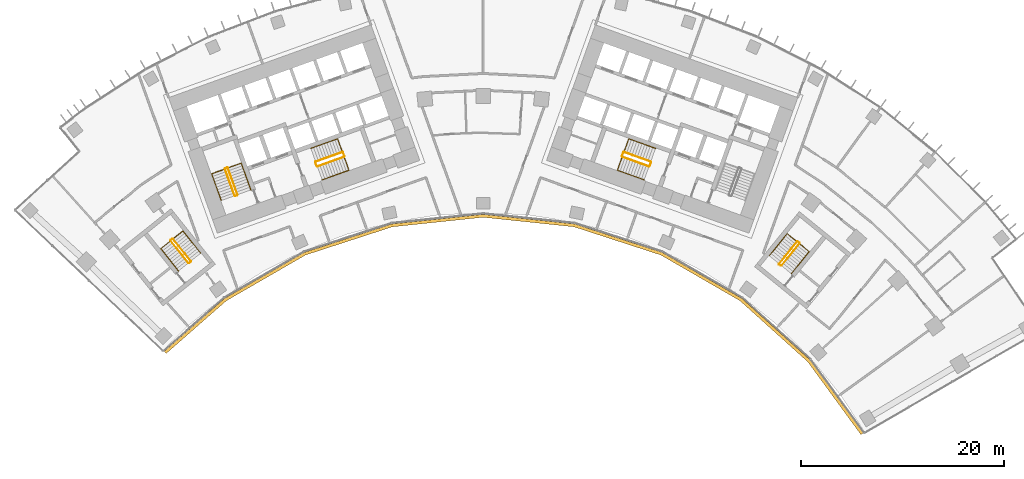
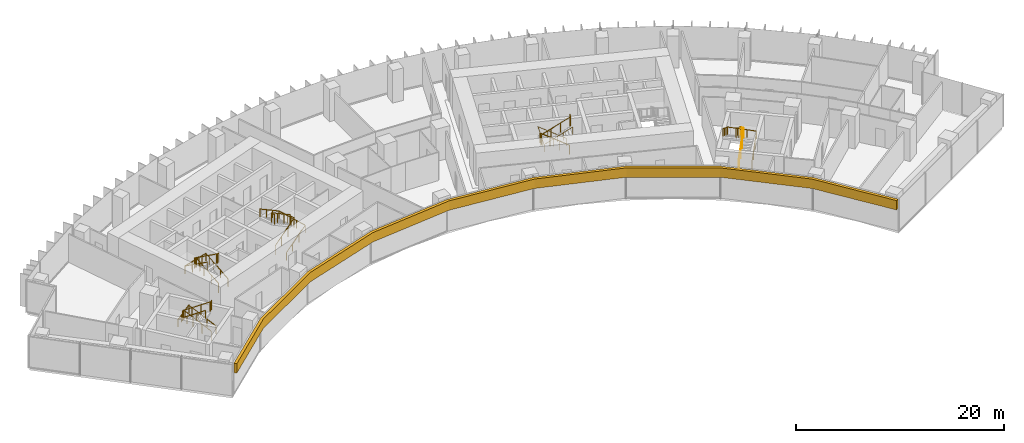
# One storey, part 21 of 22: 15 railings, 1 covering.
"""IFC4 building model written with IfcOpenShell, lengths in metres."""

from ifc_helpers import new_model, si_unit, direction, frame, origin, origin_2d, place, context, subcontext, project, spatial, polyline, circle, outline, extrude, material, layer, layer_set, type_object, element, save


model = new_model("IFC4")

# Units and contexts
model_context = context("Model", 3, precision=1e-05, world=origin(), true_north=direction((0.0, 1.0)))
body_context = subcontext(model_context, "Body", "Model", "MODEL_VIEW")
ifc_project = project(units=[si_unit("LENGTHUNIT", "METRE"), si_unit("AREAUNIT", "SQUARE_METRE"), si_unit("VOLUMEUNIT", "CUBIC_METRE"), si_unit("PLANEANGLEUNIT", "RADIAN"), si_unit("MASSUNIT", "GRAM", prefix="KILO")], contexts=[model_context])

# Site, building, storey
site_placement = place(None, origin())
site = spatial("IfcSite", under=ifc_project, at=site_placement, CompositionType="ELEMENT")
building_placement = place(site_placement, origin())
building = spatial("IfcBuilding", under=site, at=building_placement, Name="Stone Belt Terrace Tower", CompositionType="ELEMENT")
storey_placement = place(building_placement, frame((0.0, 0.0, 132.60009765625)))
storey = spatial("IfcBuildingStorey", under=building, at=storey_placement, Name="L32", CompositionType="ELEMENT", Elevation=132.60009765625)

# Railings
ifc_material_1 = material(Name="Structural steel C345", Category="steel")
railing_type_1 = type_object("IfcRailingType", Name="Stair guard 1100", PredefinedType="GUARDRAIL", material=ifc_material_1)
railing_1_placement = place(storey_placement, frame((-24.2119140625, 45.276123046875, 0.172607421875)))
element("IfcRailing", 1, at=railing_1_placement, inside=storey, type_object=railing_type_1, Name="L32 ST1A stair guard 1", PredefinedType="GUARDRAIL", context=body_context, shape_type="SweptSolid", body=[
    extrude(circle(Radius=0.02392578125, at=origin_2d()), frame((0.0, 0.0, 1.076171875), z_axis=(-0.288228637646, 0.800791768495, 0.525030280985), x_axis=(-0.940908529223, -0.338660803216, 0.0)), (0.0, 0.0, 1.0), 3.289794921875),
    extrude(circle(Radius=0.02392578125, at=origin_2d()), frame((-0.9482421875, 2.634521484375, 2.80322265625), z_axis=(-0.905209821074, 0.424964916, 0.0), x_axis=(-0.424964916, -0.905209821074, 0.0)), (0.0, 0.0, 1.0), 0.070556640625),
    extrude(circle(Radius=0.02392578125, at=origin_2d()), frame((-1.01220703125, 2.66455078125, 2.80322265625), z_axis=(-0.941105063269, -0.338114270461, 0.0), x_axis=(0.338114270461, -0.941105063269, 0.0)), (0.0, 0.0, 1.0), 0.199951171875),
    extrude(circle(Radius=0.02099609375, at=origin_2d()), origin(), (0.0, 0.0, 1.0), 1.052001953125),
    extrude(circle(Radius=0.02099609375, at=origin_2d()), frame((-0.316162109375, 0.878173828125, 0.57568359375)), (0.0, 0.0, 1.0), 1.052001953125),
    extrude(circle(Radius=0.02099609375, at=origin_2d()), frame((-0.632080078125, 1.75634765625, 1.151611328125)), (0.0, 0.0, 1.0), 1.052001953125),
    extrude(circle(Radius=0.02099609375, at=origin_2d()), frame((-0.9482421875, 2.634521484375, 1.727294921875)), (0.0, 0.0, 1.0), 1.052001953125),
    extrude(circle(Radius=0.02099609375, at=origin_2d()), frame((-1.01220703125, 2.66455078125, 1.727294921875)), (0.0, 0.0, 1.0), 1.052001953125),
    extrude(circle(Radius=0.02099609375, at=origin_2d()), frame((-1.200439453125, 2.596923828125, 1.727294921875)), (0.0, 0.0, 1.0), 1.052001953125),
])
railing_2_placement = place(storey_placement, frame((-25.4423828125, 47.80908203125, 2.072509765625)))
element("IfcRailing", 2, at=railing_2_placement, inside=storey, type_object=railing_type_1, Name="L32 ST1A stair guard 2", PredefinedType="GUARDRAIL", context=body_context, shape_type="SweptSolid", body=[
    extrude(circle(Radius=0.02392578125, at=origin_2d()), frame((0.0, 0.0, 1.076171875), z_axis=(0.288228637646, -0.800791768495, 0.525030280985), x_axis=(0.940908529223, 0.338660803216, 0.0)), (0.0, 0.0, 1.0), 3.289794921875),
    extrude(circle(Radius=0.02392578125, at=origin_2d()), frame((0.9482421875, -2.634521484375, 2.80322265625), z_axis=(0.903878284585, -0.427789722475, 0.0), x_axis=(0.427789722475, 0.903878284585, 0.0)), (0.0, 0.0, 1.0), 0.07080078125),
    extrude(circle(Radius=0.02392578125, at=origin_2d()), frame((1.01220703125, -2.664794921875, 2.80322265625), z_axis=(0.940575576748, 0.339584429008, 0.0), x_axis=(-0.339584429008, 0.940575576748, 0.0)), (0.0, 0.0, 1.0), 0.199951171875),
    extrude(circle(Radius=0.02099609375, at=origin_2d()), origin(), (0.0, 0.0, 1.0), 1.052001953125),
    extrude(circle(Radius=0.02099609375, at=origin_2d()), frame((0.316162109375, -0.878173828125, 0.57568359375)), (0.0, 0.0, 1.0), 1.052001953125),
    extrude(circle(Radius=0.02099609375, at=origin_2d()), frame((0.632080078125, -1.75634765625, 1.151611328125)), (0.0, 0.0, 1.0), 1.052001953125),
    extrude(circle(Radius=0.02099609375, at=origin_2d()), frame((0.9482421875, -2.634521484375, 1.727294921875)), (0.0, 0.0, 1.0), 1.052001953125),
    extrude(circle(Radius=0.02099609375, at=origin_2d()), frame((1.01220703125, -2.664794921875, 1.727294921875)), (0.0, 0.0, 1.0), 1.052001953125),
    extrude(circle(Radius=0.02099609375, at=origin_2d()), frame((1.2001953125, -2.596923828125, 1.727294921875)), (0.0, 0.0, 1.0), 1.052001953125),
])
railing_3_placement = place(storey_placement, frame((-16.33837890625, 48.056640625, 0.172607421875)))
element("IfcRailing", 3, at=railing_3_placement, inside=storey, type_object=railing_type_1, Name="L32 ST2A stair guard 1", PredefinedType="GUARDRAIL", context=body_context, shape_type="SweptSolid", body=[
    extrude(circle(Radius=0.02392578125, at=origin_2d()), frame((0.0, 0.0, 1.076171875), z_axis=(0.800808895155, 0.288160591223, 0.52504150989), x_axis=(-0.338583606334, 0.940936311087, 0.0)), (0.0, 0.0, 1.0), 3.289794921875),
    extrude(circle(Radius=0.02392578125, at=origin_2d()), frame((2.634521484375, 0.947998046875, 2.80322265625), z_axis=(0.427789722475, 0.903878284585, 0.0), x_axis=(-0.903878284585, 0.427789722475, 0.0)), (0.0, 0.0, 1.0), 0.07080078125),
    extrude(circle(Radius=0.02392578125, at=origin_2d()), frame((2.664794921875, 1.011962890625, 2.80322265625), z_axis=(-0.338654645739, 0.940910745459, 0.0), x_axis=(-0.940910745459, -0.338654645739, 0.0)), (0.0, 0.0, 1.0), 0.400146484375),
    extrude(circle(Radius=0.02099609375, at=origin_2d()), origin(), (0.0, 0.0, 1.0), 1.052001953125),
    extrude(circle(Radius=0.02099609375, at=origin_2d()), frame((0.878173828125, 0.31591796875, 0.57568359375)), (0.0, 0.0, 1.0), 1.052001953125),
    extrude(circle(Radius=0.02099609375, at=origin_2d()), frame((1.75634765625, 0.632080078125, 1.151611328125)), (0.0, 0.0, 1.0), 1.052001953125),
    extrude(circle(Radius=0.02099609375, at=origin_2d()), frame((2.634521484375, 0.947998046875, 1.727294921875)), (0.0, 0.0, 1.0), 1.052001953125),
    extrude(circle(Radius=0.02099609375, at=origin_2d()), frame((2.664794921875, 1.011962890625, 1.727294921875)), (0.0, 0.0, 1.0), 1.052001953125),
    extrude(circle(Radius=0.02099609375, at=origin_2d()), frame((2.529296875, 1.388427734375, 1.727294921875)), (0.0, 0.0, 1.0), 1.052001953125),
])
railing_4_placement = place(storey_placement, frame((-13.873046875, 49.47509765625, 2.072509765625)))
element("IfcRailing", 4, at=railing_4_placement, inside=storey, type_object=railing_type_1, Name="L32 ST2A stair guard 2", PredefinedType="GUARDRAIL", context=body_context, shape_type="SweptSolid", body=[
    extrude(circle(Radius=0.02392578125, at=origin_2d()), frame((0.0, 0.0, 1.076171875), z_axis=(-0.800808895155, -0.288160591223, 0.52504150989), x_axis=(0.338583606334, -0.940936311087, 0.0)), (0.0, 0.0, 1.0), 3.289794921875),
    extrude(circle(Radius=0.02392578125, at=origin_2d()), frame((-2.634521484375, -0.947998046875, 2.80322265625), z_axis=(-0.427789722475, -0.903878284585, 0.0), x_axis=(0.903878284585, -0.427789722475, 0.0)), (0.0, 0.0, 1.0), 0.07080078125),
    extrude(circle(Radius=0.02392578125, at=origin_2d()), frame((-2.664794921875, -1.011962890625, 2.80322265625), z_axis=(0.338654645739, -0.940910745459, 0.0), x_axis=(0.940910745459, 0.338654645739, 0.0)), (0.0, 0.0, 1.0), 0.400146484375),
    extrude(circle(Radius=0.02099609375, at=origin_2d()), origin(), (0.0, 0.0, 1.0), 1.052001953125),
    extrude(circle(Radius=0.02099609375, at=origin_2d()), frame((-0.878173828125, -0.31591796875, 0.57568359375)), (0.0, 0.0, 1.0), 1.052001953125),
    extrude(circle(Radius=0.02099609375, at=origin_2d()), frame((-1.75634765625, -0.632080078125, 1.151611328125)), (0.0, 0.0, 1.0), 1.052001953125),
    extrude(circle(Radius=0.02099609375, at=origin_2d()), frame((-2.634521484375, -0.947998046875, 1.727294921875)), (0.0, 0.0, 1.0), 1.052001953125),
    extrude(circle(Radius=0.02099609375, at=origin_2d()), frame((-2.664794921875, -1.011962890625, 1.727294921875)), (0.0, 0.0, 1.0), 1.052001953125),
    extrude(circle(Radius=0.02099609375, at=origin_2d()), frame((-2.529296875, -1.388427734375, 1.727294921875)), (0.0, 0.0, 1.0), 1.052001953125),
])
railing_5_placement = place(storey_placement, frame((16.507568359375, 48.527099609375, 0.172607421875)))
element("IfcRailing", 5, at=railing_5_placement, inside=storey, type_object=railing_type_1, Name="L32 ST2B stair guard 1", PredefinedType="GUARDRAIL", context=body_context, shape_type="SweptSolid", body=[
    extrude(circle(Radius=0.02392578125, at=origin_2d()), frame((0.0, 0.0, 1.076171875), z_axis=(-0.800808895155, 0.288160591223, 0.52504150989), x_axis=(-0.338583606334, -0.940936311087, 0.0)), (0.0, 0.0, 1.0), 3.289794921875),
    extrude(circle(Radius=0.02392578125, at=origin_2d()), frame((-2.634521484375, 0.947998046875, 2.80322265625), z_axis=(-0.905209821074, -0.424964916, 0.0), x_axis=(0.424964916, -0.905209821074, 0.0)), (0.0, 0.0, 1.0), 0.070556640625),
    extrude(circle(Radius=0.02392578125, at=origin_2d()), frame((-2.698486328125, 0.91796875, 2.80322265625), z_axis=(-0.338654645739, -0.940910745459, 0.0), x_axis=(0.940910745459, -0.338654645739, 0.0)), (0.0, 0.0, 1.0), 0.400146484375),
    extrude(circle(Radius=0.02099609375, at=origin_2d()), origin(), (0.0, 0.0, 1.0), 1.052001953125),
    extrude(circle(Radius=0.02099609375, at=origin_2d()), frame((-0.878173828125, 0.31591796875, 0.57568359375)), (0.0, 0.0, 1.0), 1.052001953125),
    extrude(circle(Radius=0.02099609375, at=origin_2d()), frame((-1.75634765625, 0.632080078125, 1.151611328125)), (0.0, 0.0, 1.0), 1.052001953125),
    extrude(circle(Radius=0.02099609375, at=origin_2d()), frame((-2.634521484375, 0.947998046875, 1.727294921875)), (0.0, 0.0, 1.0), 1.052001953125),
    extrude(circle(Radius=0.02099609375, at=origin_2d()), frame((-2.698486328125, 0.91796875, 1.727294921875)), (0.0, 0.0, 1.0), 1.052001953125),
    extrude(circle(Radius=0.02099609375, at=origin_2d()), frame((-2.833984375, 0.54150390625, 1.727294921875)), (0.0, 0.0, 1.0), 1.052001953125),
])
railing_6_placement = place(storey_placement, frame((13.703857421875, 49.004638671875, 2.072509765625)))
element("IfcRailing", 6, at=railing_6_placement, inside=storey, type_object=railing_type_1, Name="L32 ST2B stair guard 2", PredefinedType="GUARDRAIL", context=body_context, shape_type="SweptSolid", body=[
    extrude(circle(Radius=0.02392578125, at=origin_2d()), frame((0.0, 0.0, 1.076171875), z_axis=(0.800808895155, -0.288160591223, 0.52504150989), x_axis=(0.338583606334, 0.940936311087, 0.0)), (0.0, 0.0, 1.0), 3.289794921875),
    extrude(circle(Radius=0.02392578125, at=origin_2d()), frame((2.634521484375, -0.947998046875, 2.80322265625), z_axis=(0.905209821074, 0.424964916, 0.0), x_axis=(-0.424964916, 0.905209821074, 0.0)), (0.0, 0.0, 1.0), 0.070556640625),
    extrude(circle(Radius=0.02392578125, at=origin_2d()), frame((2.698486328125, -0.91796875, 2.80322265625), z_axis=(0.338654645739, 0.940910745459, 0.0), x_axis=(-0.940910745459, 0.338654645739, 0.0)), (0.0, 0.0, 1.0), 0.400146484375),
    extrude(circle(Radius=0.02099609375, at=origin_2d()), origin(), (0.0, 0.0, 1.0), 1.052001953125),
    extrude(circle(Radius=0.02099609375, at=origin_2d()), frame((0.878173828125, -0.31591796875, 0.57568359375)), (0.0, 0.0, 1.0), 1.052001953125),
    extrude(circle(Radius=0.02099609375, at=origin_2d()), frame((1.75634765625, -0.632080078125, 1.151611328125)), (0.0, 0.0, 1.0), 1.052001953125),
    extrude(circle(Radius=0.02099609375, at=origin_2d()), frame((2.634521484375, -0.947998046875, 1.727294921875)), (0.0, 0.0, 1.0), 1.052001953125),
    extrude(circle(Radius=0.02099609375, at=origin_2d()), frame((2.698486328125, -0.91796875, 1.727294921875)), (0.0, 0.0, 1.0), 1.052001953125),
    extrude(circle(Radius=0.02099609375, at=origin_2d()), frame((2.833984375, -0.54150390625, 1.727294921875)), (0.0, 0.0, 1.0), 1.052001953125),
])
railing_7_placement = place(storey_placement, frame((-28.814208984375, 38.734619140625, 0.172607421875)))
element("IfcRailing", 7, at=railing_7_placement, inside=storey, type_object=railing_type_1, Name="L32 ST3A stair guard 1", PredefinedType="GUARDRAIL", context=body_context, shape_type="SweptSolid", body=[
    extrude(circle(Radius=0.02392578125, at=origin_2d()), frame((0.0, 0.0, 1.076171875), z_axis=(-0.530306321799, 0.665665785969, 0.525037395288), x_axis=(-0.782143211408, -0.623098705543, 0.0)), (0.0, 0.0, 1.0), 3.289794921875),
    extrude(circle(Radius=0.02392578125, at=origin_2d()), frame((-1.74462890625, 2.18994140625, 2.80322265625), z_axis=(-0.993883734674, 0.110431526075, 0.0), x_axis=(-0.110431526075, -0.993883734674, 0.0)), (0.0, 0.0, 1.0), 0.07080078125),
    extrude(circle(Radius=0.02392578125, at=origin_2d()), frame((-1.81494140625, 2.19775390625, 2.80322265625), z_axis=(-0.782533463299, -0.622608527742, 0.0), x_axis=(0.622608527742, -0.782533463299, 0.0)), (0.0, 0.0, 1.0), 0.199951171875),
    extrude(circle(Radius=0.02099609375, at=origin_2d()), origin(), (0.0, 0.0, 1.0), 1.052001953125),
    extrude(circle(Radius=0.02099609375, at=origin_2d()), frame((-0.58154296875, 0.72998046875, 0.57568359375)), (0.0, 0.0, 1.0), 1.052001953125),
    extrude(circle(Radius=0.02099609375, at=origin_2d()), frame((-1.1630859375, 1.4599609375, 1.151611328125)), (0.0, 0.0, 1.0), 1.052001953125),
    extrude(circle(Radius=0.02099609375, at=origin_2d()), frame((-1.74462890625, 2.18994140625, 1.727294921875)), (0.0, 0.0, 1.0), 1.052001953125),
    extrude(circle(Radius=0.02099609375, at=origin_2d()), frame((-1.81494140625, 2.19775390625, 1.727294921875)), (0.0, 0.0, 1.0), 1.052001953125),
    extrude(circle(Radius=0.02099609375, at=origin_2d()), frame((-1.971435546875, 2.0732421875, 1.727294921875)), (0.0, 0.0, 1.0), 1.052001953125),
])
railing_8_placement = place(storey_placement, frame((-30.793701171875, 40.737548828125, 2.072509765625)))
element("IfcRailing", 8, at=railing_8_placement, inside=storey, type_object=railing_type_1, Name="L32 ST3A stair guard 2", PredefinedType="GUARDRAIL", context=body_context, shape_type="SweptSolid", body=[
    extrude(circle(Radius=0.02392578125, at=origin_2d()), frame((0.0, 0.0, 1.076171875), z_axis=(0.530359659125, -0.665639588968, 0.525016732659), x_axis=(0.782100716982, 0.62315204284, 0.0)), (0.0, 0.0, 1.0), 3.2900390625),
    extrude(circle(Radius=0.02392578125, at=origin_2d()), frame((1.744873046875, -2.18994140625, 2.80322265625), z_axis=(0.993499272973, -0.113838458361, 0.0), x_axis=(0.113838458361, 0.993499272973, 0.0)), (0.0, 0.0, 1.0), 0.07080078125),
    extrude(circle(Radius=0.02392578125, at=origin_2d()), frame((1.815185546875, -2.197998046875, 2.80322265625), z_axis=(0.781464082609, 0.623950228458, 0.0), x_axis=(-0.623950228458, 0.781464082609, 0.0)), (0.0, 0.0, 1.0), 0.199951171875),
    extrude(circle(Radius=0.02099609375, at=origin_2d()), origin(), (0.0, 0.0, 1.0), 1.052001953125),
    extrude(circle(Radius=0.02099609375, at=origin_2d()), frame((0.58154296875, -0.72998046875, 0.57568359375)), (0.0, 0.0, 1.0), 1.052001953125),
    extrude(circle(Radius=0.02099609375, at=origin_2d()), frame((1.163330078125, -1.4599609375, 1.151611328125)), (0.0, 0.0, 1.0), 1.052001953125),
    extrude(circle(Radius=0.02099609375, at=origin_2d()), frame((1.744873046875, -2.18994140625, 1.727294921875)), (0.0, 0.0, 1.0), 1.052001953125),
    extrude(circle(Radius=0.02099609375, at=origin_2d()), frame((1.815185546875, -2.197998046875, 1.727294921875)), (0.0, 0.0, 1.0), 1.052001953125),
    extrude(circle(Radius=0.02099609375, at=origin_2d()), frame((1.971435546875, -2.0732421875, 1.727294921875)), (0.0, 0.0, 1.0), 1.052001953125),
])
railing_9_placement = place(storey_placement, frame((29.39794921875, 38.281982421875, 0.172607421875)))
element("IfcRailing", 9, at=railing_9_placement, inside=storey, type_object=railing_type_1, Name="L32 ST3B stair guard 1", PredefinedType="GUARDRAIL", context=body_context, shape_type="SweptSolid", body=[
    extrude(circle(Radius=0.02392578125, at=origin_2d()), frame((0.0, 0.0, 1.076171875), z_axis=(0.536393061503, 0.660769759217, 0.525038864158), x_axis=(-0.776391310223, 0.630251166924, 0.0)), (0.0, 0.0, 1.0), 3.289794921875),
    extrude(circle(Radius=0.02392578125, at=origin_2d()), frame((1.7646484375, 2.173828125, 2.80322265625), z_axis=(-0.103251414163, 0.994655289773, 0.0), x_axis=(-0.994655289773, -0.103251414163, 0.0)), (0.0, 0.0, 1.0), 0.071044921875),
    extrude(circle(Radius=0.02392578125, at=origin_2d()), frame((1.75732421875, 2.244384765625, 2.80322265625), z_axis=(-0.776561986372, 0.630040856868, 0.0), x_axis=(-0.630040856868, -0.776561986372, 0.0)), (0.0, 0.0, 1.0), 0.199951171875),
    extrude(circle(Radius=0.02099609375, at=origin_2d()), origin(), (0.0, 0.0, 1.0), 1.052001953125),
    extrude(circle(Radius=0.02099609375, at=origin_2d()), frame((0.588134765625, 0.724609375, 0.57568359375)), (0.0, 0.0, 1.0), 1.052001953125),
    extrude(circle(Radius=0.02099609375, at=origin_2d()), frame((1.176513671875, 1.44921875, 1.151611328125)), (0.0, 0.0, 1.0), 1.052001953125),
    extrude(circle(Radius=0.02099609375, at=origin_2d()), frame((1.7646484375, 2.173828125, 1.727294921875)), (0.0, 0.0, 1.0), 1.052001953125),
    extrude(circle(Radius=0.02099609375, at=origin_2d()), frame((1.75732421875, 2.244384765625, 1.727294921875)), (0.0, 0.0, 1.0), 1.052001953125),
    extrude(circle(Radius=0.02099609375, at=origin_2d()), frame((1.60205078125, 2.370361328125, 1.727294921875)), (0.0, 0.0, 1.0), 1.052001953125),
])
railing_10_placement = place(storey_placement, frame((30.9296875, 40.64501953125, 2.072509765625)))
element("IfcRailing", 10, at=railing_10_placement, inside=storey, type_object=railing_type_1, Name="L32 ST3B stair guard 2", PredefinedType="GUARDRAIL", context=body_context, shape_type="SweptSolid", body=[
    extrude(circle(Radius=0.02392578125, at=origin_2d()), frame((0.0, 0.0, 1.076171875), z_axis=(-0.536366759382, -0.660811565066, 0.525013118792), x_axis=(0.776425942316, -0.630208502084, 0.0)), (0.0, 0.0, 1.0), 3.2900390625),
    extrude(circle(Radius=0.02392578125, at=origin_2d()), frame((-1.7646484375, -2.174072265625, 2.80322265625), z_axis=(0.103606084259, -0.994618408891, 0.0), x_axis=(0.994618408891, 0.103606084259, 0.0)), (0.0, 0.0, 1.0), 0.07080078125),
    extrude(circle(Radius=0.02392578125, at=origin_2d()), frame((-1.75732421875, -2.244384765625, 2.80322265625), z_axis=(0.776561986372, -0.630040856868, 0.0), x_axis=(0.630040856868, 0.776561986372, 0.0)), (0.0, 0.0, 1.0), 0.199951171875),
    extrude(circle(Radius=0.02099609375, at=origin_2d()), origin(), (0.0, 0.0, 1.0), 1.052001953125),
    extrude(circle(Radius=0.02099609375, at=origin_2d()), frame((-0.588134765625, -0.724609375, 0.57568359375)), (0.0, 0.0, 1.0), 1.052001953125),
    extrude(circle(Radius=0.02099609375, at=origin_2d()), frame((-1.176513671875, -1.449462890625, 1.151611328125)), (0.0, 0.0, 1.0), 1.052001953125),
    extrude(circle(Radius=0.02099609375, at=origin_2d()), frame((-1.7646484375, -2.174072265625, 1.727294921875)), (0.0, 0.0, 1.0), 1.052001953125),
    extrude(circle(Radius=0.02099609375, at=origin_2d()), frame((-1.75732421875, -2.244384765625, 1.727294921875)), (0.0, 0.0, 1.0), 1.052001953125),
    extrude(circle(Radius=0.02099609375, at=origin_2d()), frame((-1.60205078125, -2.370361328125, 1.727294921875)), (0.0, 0.0, 1.0), 1.052001953125),
])
railing_type_2 = type_object("IfcRailingType", Name="Stair handrail 900", PredefinedType="HANDRAIL", material=ifc_material_1)
railing_11_placement = place(storey_placement, frame((-22.894775390625, 45.750244140625, 0.172607421875)))
element("IfcRailing", 11, at=railing_11_placement, inside=storey, type_object=railing_type_2, Name="L32 ST1A stair handrail 1", PredefinedType="HANDRAIL", context=body_context, shape_type="SweptSolid", body=[
    extrude(circle(Radius=0.02392578125, at=origin_2d()), frame((0.0, 0.0, 0.8759765625), z_axis=(-0.288160591223, 0.800808895155, 0.52504150989), x_axis=(-0.940936311087, -0.338583606334, 0.0)), (0.0, 0.0, 1.0), 3.289794921875),
    extrude(circle(Radius=0.02392578125, at=origin_2d()), frame((-0.947998046875, 2.634521484375, 2.60302734375), z_axis=(-0.939464517435, -0.338106580597, 0.055591012205), x_axis=(0.338630230244, -0.940919532779, 0.0)), (0.0, 0.0, 1.0), 3.10498046875),
    extrude(circle(Radius=0.02392578125, at=origin_2d()), frame((-3.864990234375, 1.584716796875, 2.77587890625), z_axis=(0.288228637646, -0.800791768495, 0.525030280985), x_axis=(0.940908529223, 0.338660803216, 0.0)), (0.0, 0.0, 1.0), 3.289794921875),
    extrude(circle(Radius=0.02099609375, at=origin_2d()), origin(), (0.0, 0.0, 1.0), 0.851806640625),
    extrude(circle(Radius=0.02099609375, at=origin_2d()), frame((-0.31591796875, 0.878173828125, 0.57568359375)), (0.0, 0.0, 1.0), 0.851806640625),
    extrude(circle(Radius=0.02099609375, at=origin_2d()), frame((-0.632080078125, 1.75634765625, 1.151611328125)), (0.0, 0.0, 1.0), 0.851806640625),
    extrude(circle(Radius=0.02099609375, at=origin_2d()), frame((-0.947998046875, 2.634521484375, 1.727294921875)), (0.0, 0.0, 1.0), 0.851806640625),
    extrude(circle(Radius=0.02099609375, at=origin_2d()), frame((-1.92041015625, 2.28466796875, 1.784912109375)), (0.0, 0.0, 1.0), 0.851806640625),
    extrude(circle(Radius=0.02099609375, at=origin_2d()), frame((-2.892578125, 1.9345703125, 1.84228515625)), (0.0, 0.0, 1.0), 0.851806640625),
    extrude(circle(Radius=0.02099609375, at=origin_2d()), frame((-3.864990234375, 1.584716796875, 1.89990234375)), (0.0, 0.0, 1.0), 0.851806640625),
    extrude(circle(Radius=0.02099609375, at=origin_2d()), frame((-3.548828125, 0.70654296875, 2.4755859375)), (0.0, 0.0, 1.0), 0.851806640625),
    extrude(circle(Radius=0.02099609375, at=origin_2d()), frame((-3.23291015625, -0.171630859375, 3.051513671875)), (0.0, 0.0, 1.0), 0.851806640625),
    extrude(circle(Radius=0.02099609375, at=origin_2d()), frame((-2.916748046875, -1.0498046875, 3.627197265625)), (0.0, 0.0, 1.0), 0.851806640625),
])
railing_12_placement = place(storey_placement, frame((-15.8642578125, 46.7392578125, 0.172607421875)))
element("IfcRailing", 12, at=railing_12_placement, inside=storey, type_object=railing_type_2, Name="L32 ST2A stair handrail 1", PredefinedType="HANDRAIL", context=body_context, shape_type="SweptSolid", body=[
    extrude(circle(Radius=0.02392578125, at=origin_2d()), frame((0.0, 0.0, 0.8759765625), z_axis=(0.800791768495, 0.288228637646, 0.525030280985), x_axis=(-0.338660803216, 0.940908529223, 0.0)), (0.0, 0.0, 1.0), 3.289794921875),
    extrude(circle(Radius=0.02392578125, at=origin_2d()), frame((2.634521484375, 0.9482421875, 2.60302734375), z_axis=(-0.338160254016, 0.939637778147, 0.052234935458), x_axis=(-0.940922302781, -0.338622533404, 0.0)), (0.0, 0.0, 1.0), 3.304443359375),
    extrude(circle(Radius=0.02392578125, at=origin_2d()), frame((1.51708984375, 4.05322265625, 2.77587890625), z_axis=(-0.800791768495, -0.288228637646, 0.525030280985), x_axis=(0.338660803216, -0.940908529223, 0.0)), (0.0, 0.0, 1.0), 3.289794921875),
    extrude(circle(Radius=0.02099609375, at=origin_2d()), origin(), (0.0, 0.0, 1.0), 0.851806640625),
    extrude(circle(Radius=0.02099609375, at=origin_2d()), frame((0.878173828125, 0.316162109375, 0.57568359375)), (0.0, 0.0, 1.0), 0.851806640625),
    extrude(circle(Radius=0.02099609375, at=origin_2d()), frame((1.75634765625, 0.632080078125, 1.151611328125)), (0.0, 0.0, 1.0), 0.851806640625),
    extrude(circle(Radius=0.02099609375, at=origin_2d()), frame((2.634521484375, 0.9482421875, 1.727294921875)), (0.0, 0.0, 1.0), 0.851806640625),
    extrude(circle(Radius=0.02099609375, at=origin_2d()), frame((2.261962890625, 1.983154296875, 1.784912109375)), (0.0, 0.0, 1.0), 0.851806640625),
    extrude(circle(Radius=0.02099609375, at=origin_2d()), frame((1.8896484375, 3.018310546875, 1.84228515625)), (0.0, 0.0, 1.0), 0.851806640625),
    extrude(circle(Radius=0.02099609375, at=origin_2d()), frame((1.51708984375, 4.05322265625, 1.89990234375)), (0.0, 0.0, 1.0), 0.851806640625),
    extrude(circle(Radius=0.02099609375, at=origin_2d()), frame((0.638916015625, 3.737060546875, 2.4755859375)), (0.0, 0.0, 1.0), 0.851806640625),
    extrude(circle(Radius=0.02099609375, at=origin_2d()), frame((-0.2392578125, 3.421142578125, 3.051513671875)), (0.0, 0.0, 1.0), 0.851806640625),
    extrude(circle(Radius=0.02099609375, at=origin_2d()), frame((-1.117431640625, 3.10498046875, 3.627197265625)), (0.0, 0.0, 1.0), 0.851806640625),
])
railing_13_placement = place(storey_placement, frame((16.981689453125, 49.84423828125, 0.172607421875)))
element("IfcRailing", 13, at=railing_13_placement, inside=storey, type_object=railing_type_2, Name="L32 ST2B stair handrail 1", PredefinedType="HANDRAIL", context=body_context, shape_type="SweptSolid", body=[
    extrude(circle(Radius=0.02392578125, at=origin_2d()), frame((0.0, 0.0, 0.8759765625), z_axis=(-0.800791768495, 0.288228637646, 0.525030280985), x_axis=(-0.338660803216, -0.940908529223, 0.0)), (0.0, 0.0, 1.0), 3.289794921875),
    extrude(circle(Radius=0.02392578125, at=origin_2d()), frame((-2.634521484375, 0.9482421875, 2.60302734375), z_axis=(-0.338160254016, -0.939637778147, 0.052234935458), x_axis=(0.940922302781, -0.338622533404, 0.0)), (0.0, 0.0, 1.0), 3.304443359375),
    extrude(circle(Radius=0.02392578125, at=origin_2d()), frame((-3.751953125, -2.15673828125, 2.77587890625), z_axis=(0.800791768495, -0.288228637646, 0.525030280985), x_axis=(0.338660803216, 0.940908529223, 0.0)), (0.0, 0.0, 1.0), 3.289794921875),
    extrude(circle(Radius=0.02099609375, at=origin_2d()), origin(), (0.0, 0.0, 1.0), 0.851806640625),
    extrude(circle(Radius=0.02099609375, at=origin_2d()), frame((-0.878173828125, 0.316162109375, 0.57568359375)), (0.0, 0.0, 1.0), 0.851806640625),
    extrude(circle(Radius=0.02099609375, at=origin_2d()), frame((-1.75634765625, 0.632080078125, 1.151611328125)), (0.0, 0.0, 1.0), 0.851806640625),
    extrude(circle(Radius=0.02099609375, at=origin_2d()), frame((-2.634521484375, 0.9482421875, 1.727294921875)), (0.0, 0.0, 1.0), 0.851806640625),
    extrude(circle(Radius=0.02099609375, at=origin_2d()), frame((-3.007080078125, -0.086669921875, 1.784912109375)), (0.0, 0.0, 1.0), 0.851806640625),
    extrude(circle(Radius=0.02099609375, at=origin_2d()), frame((-3.37939453125, -1.121826171875, 1.84228515625)), (0.0, 0.0, 1.0), 0.851806640625),
    extrude(circle(Radius=0.02099609375, at=origin_2d()), frame((-3.751953125, -2.15673828125, 1.89990234375)), (0.0, 0.0, 1.0), 0.851806640625),
    extrude(circle(Radius=0.02099609375, at=origin_2d()), frame((-2.873779296875, -2.472900390625, 2.4755859375)), (0.0, 0.0, 1.0), 0.851806640625),
    extrude(circle(Radius=0.02099609375, at=origin_2d()), frame((-1.99560546875, -2.788818359375, 3.051513671875)), (0.0, 0.0, 1.0), 0.851806640625),
    extrude(circle(Radius=0.02099609375, at=origin_2d()), frame((-1.117431640625, -3.10498046875, 3.627197265625)), (0.0, 0.0, 1.0), 0.851806640625),
])
railing_14_placement = place(storey_placement, frame((-27.836669921875, 39.513427734375, 0.172607421875)))
element("IfcRailing", 14, at=railing_14_placement, inside=storey, type_object=railing_type_2, Name="L32 ST3A stair handrail 1", PredefinedType="HANDRAIL", context=body_context, shape_type="SweptSolid", body=[
    extrude(circle(Radius=0.02392578125, at=origin_2d()), frame((0.0, 0.0, 0.8759765625), z_axis=(-0.530306321799, 0.665665785969, 0.525037395288), x_axis=(-0.782143211408, -0.623098705543, 0.0)), (0.0, 0.0, 1.0), 3.289794921875),
    extrude(circle(Radius=0.02392578125, at=origin_2d()), frame((-1.74462890625, 2.18994140625, 2.60302734375), z_axis=(-0.780661215256, -0.62191806513, 0.061530376721), x_axis=(0.623098705543, -0.782143211408, 0.0)), (0.0, 0.0, 1.0), 2.80517578125),
    extrude(circle(Radius=0.02392578125, at=origin_2d()), frame((-3.9345703125, 0.4453125, 2.77587890625), z_axis=(0.530306321799, -0.665665785969, 0.525037395288), x_axis=(0.782143211408, 0.623098705543, 0.0)), (0.0, 0.0, 1.0), 3.289794921875),
    extrude(circle(Radius=0.02099609375, at=origin_2d()), origin(), (0.0, 0.0, 1.0), 0.851806640625),
    extrude(circle(Radius=0.02099609375, at=origin_2d()), frame((-0.58154296875, 0.72998046875, 0.57568359375)), (0.0, 0.0, 1.0), 0.851806640625),
    extrude(circle(Radius=0.02099609375, at=origin_2d()), frame((-1.1630859375, 1.4599609375, 1.151611328125)), (0.0, 0.0, 1.0), 0.851806640625),
    extrude(circle(Radius=0.02099609375, at=origin_2d()), frame((-1.74462890625, 2.18994140625, 1.727294921875)), (0.0, 0.0, 1.0), 0.851806640625),
    extrude(circle(Radius=0.02099609375, at=origin_2d()), frame((-2.474609375, 1.6083984375, 1.784912109375)), (0.0, 0.0, 1.0), 0.851806640625),
    extrude(circle(Radius=0.02099609375, at=origin_2d()), frame((-3.20458984375, 1.02685546875, 1.84228515625)), (0.0, 0.0, 1.0), 0.851806640625),
    extrude(circle(Radius=0.02099609375, at=origin_2d()), frame((-3.9345703125, 0.4453125, 1.89990234375)), (0.0, 0.0, 1.0), 0.851806640625),
    extrude(circle(Radius=0.02099609375, at=origin_2d()), frame((-3.35302734375, -0.28466796875, 2.4755859375)), (0.0, 0.0, 1.0), 0.851806640625),
    extrude(circle(Radius=0.02099609375, at=origin_2d()), frame((-2.771484375, -1.0146484375, 3.051513671875)), (0.0, 0.0, 1.0), 0.851806640625),
    extrude(circle(Radius=0.02099609375, at=origin_2d()), frame((-2.18994140625, -1.74462890625, 3.627197265625)), (0.0, 0.0, 1.0), 0.851806640625),
])
railing_15_placement = place(storey_placement, frame((30.36865234375, 37.494140625, 0.172607421875)))
element("IfcRailing", 15, at=railing_15_placement, inside=storey, type_object=railing_type_2, Name="L32 ST3B stair handrail 1", PredefinedType="HANDRAIL", context=body_context, shape_type="SweptSolid", body=[
    extrude(circle(Radius=0.02392578125, at=origin_2d()), frame((0.0, 0.0, 0.8759765625), z_axis=(0.536366759382, 0.660811565066, 0.525013118792), x_axis=(-0.776425942316, 0.630208502084, 0.0)), (0.0, 0.0, 1.0), 3.2900390625),
    extrude(circle(Radius=0.02392578125, at=origin_2d()), frame((1.7646484375, 2.174072265625, 2.60302734375), z_axis=(-0.774954966459, 0.629014542119, 0.061526463929), x_axis=(-0.630208502084, -0.776425942316, 0.0)), (0.0, 0.0, 1.0), 2.805419921875),
    extrude(circle(Radius=0.02392578125, at=origin_2d()), frame((-0.409423828125, 3.938720703125, 2.77587890625), z_axis=(-0.536366759382, -0.660811565066, 0.525013118792), x_axis=(0.776425942316, -0.630208502084, 0.0)), (0.0, 0.0, 1.0), 3.2900390625),
    extrude(circle(Radius=0.02099609375, at=origin_2d()), origin(), (0.0, 0.0, 1.0), 0.851806640625),
    extrude(circle(Radius=0.02099609375, at=origin_2d()), frame((0.588134765625, 0.724609375, 0.57568359375)), (0.0, 0.0, 1.0), 0.851806640625),
    extrude(circle(Radius=0.02099609375, at=origin_2d()), frame((1.176513671875, 1.449462890625, 1.151611328125)), (0.0, 0.0, 1.0), 0.851806640625),
    extrude(circle(Radius=0.02099609375, at=origin_2d()), frame((1.7646484375, 2.174072265625, 1.727294921875)), (0.0, 0.0, 1.0), 0.851806640625),
    extrude(circle(Radius=0.02099609375, at=origin_2d()), frame((1.0400390625, 2.76220703125, 1.784912109375)), (0.0, 0.0, 1.0), 0.851806640625),
    extrude(circle(Radius=0.02099609375, at=origin_2d()), frame((0.315185546875, 3.3505859375, 1.84228515625)), (0.0, 0.0, 1.0), 0.851806640625),
    extrude(circle(Radius=0.02099609375, at=origin_2d()), frame((-0.409423828125, 3.938720703125, 1.89990234375)), (0.0, 0.0, 1.0), 0.851806640625),
    extrude(circle(Radius=0.02099609375, at=origin_2d()), frame((-0.99755859375, 3.214111328125, 2.4755859375)), (0.0, 0.0, 1.0), 0.851806640625),
    extrude(circle(Radius=0.02099609375, at=origin_2d()), frame((-1.5859375, 2.4892578125, 3.051513671875)), (0.0, 0.0, 1.0), 0.851806640625),
    extrude(circle(Radius=0.02099609375, at=origin_2d()), frame((-2.174072265625, 1.7646484375, 3.627197265625)), (0.0, 0.0, 1.0), 0.851806640625),
])

# Covering
ifc_material_2 = material(Name="Terracotta coloured glazed ceramic", Category="masonry")
ifc_layer = layer(ifc_material_2, 0.300048828125)
ifc_layer_set = layer_set([ifc_layer], Name="Terracotta spandrel band 300 x 1100")
covering_type = type_object("IfcCoveringType", Name="Terracotta spandrel band 300 x 1100", PredefinedType="CLADDING", material=ifc_layer_set)
covering_placement = place(storey_placement, frame((0.0, 0.0, 2.699951171875)))
element("IfcCovering", 16, at=covering_placement, inside=storey, type_object=covering_type, Name="BAND L32", PredefinedType="CLADDING", context=body_context, shape_type="SweptSolid", body=[
    extrude(outline(polyline([(-31.434814453125, 29.851806640625), (-25.48095703125, 35.06982421875), (-17.631591796875, 39.6015625), (-9.0126953125, 42.40185546875), (0.0, 43.34912109375), (9.0126953125, 42.40185546875), (17.631591796875, 39.6015625), (25.47998046875, 35.0703125), (32.21484375, 29.006103515625), (37.47314453125, 21.795654296875), (37.230712890625, 21.618896484375), (31.99072265625, 28.80419921875), (25.302734375, 34.826171875), (17.509033203125, 39.325927734375), (8.9501953125, 42.10693359375), (0.0, 43.047607421875), (-8.9501953125, 42.10693359375), (-17.509033203125, 39.325927734375), (-25.305419921875, 34.82470703125), (-31.237060546875, 29.626220703125), (-31.434814453125, 29.851806640625)])), origin(), (0.0, 0.0, 1.0), 1.099853515625),
])

save(model, "model.ifc")
